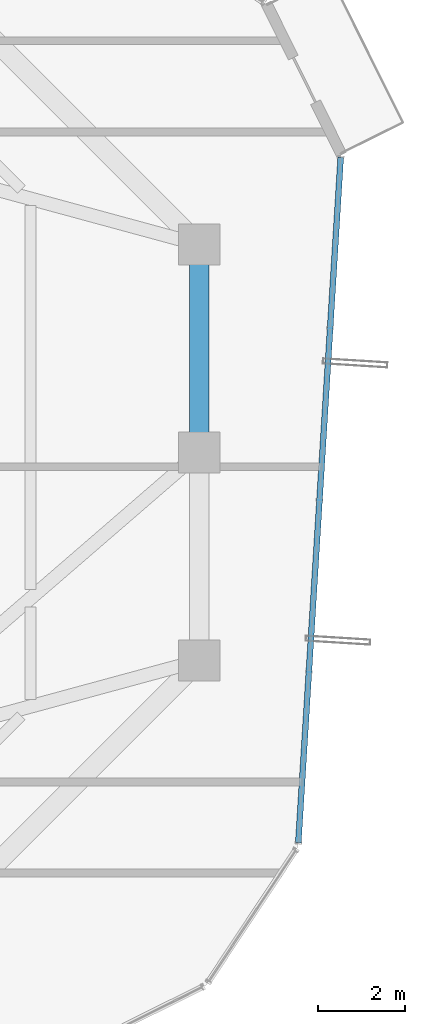
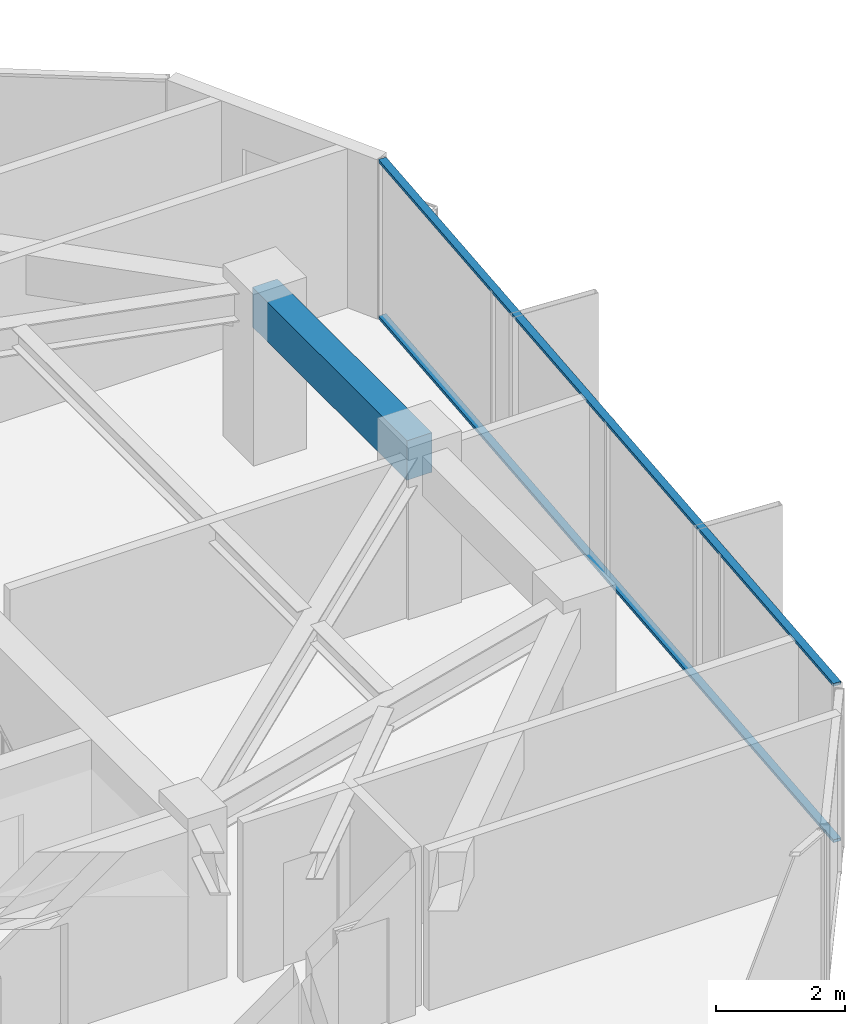
# One storey, part 16 of 29: 2 members, 1 beam, 1 element without a shape of its own.
"""IFC4 building model written with IfcOpenShell, lengths in metres."""

from ifc_helpers import new_model, si_unit, direction, frame, origin, origin_2d, place, context, subcontext, project, spatial, rectangle, hollow_rectangle, extrude, source, transform, mapped, material, layer, layer_set, material_profile, profile_set, type_object, element, aggregate, save


model = new_model("IFC4")

# Units and contexts
model_context = context("Model", 3, precision=1e-05, world=origin(), true_north=direction((0.0, 1.0)))
body_context = subcontext(model_context, "Body", "Model", "MODEL_VIEW")
ifc_project = project(units=[si_unit("LENGTHUNIT", "METRE"), si_unit("AREAUNIT", "SQUARE_METRE"), si_unit("VOLUMEUNIT", "CUBIC_METRE"), si_unit("PLANEANGLEUNIT", "RADIAN"), si_unit("MASSUNIT", "GRAM", prefix="KILO")], contexts=[model_context])

# Site, building, storey
site_placement = place(None, origin())
site = spatial("IfcSite", under=ifc_project, at=site_placement, CompositionType="ELEMENT")
building_placement = place(site_placement, origin())
building = spatial("IfcBuilding", under=site, at=building_placement, Name="Veraguas Prism Commons", CompositionType="ELEMENT")
storey_placement = place(building_placement, frame((0.0, 0.0, 218.89990234375)))
storey = spatial("IfcBuildingStorey", under=building, at=storey_placement, Name="L62", CompositionType="ELEMENT", Elevation=218.89990234375)

# Beam
ifc_material_1 = material(Name="Concrete C50/60", Category="concrete")
ifc_material_profile_1 = material_profile(ifc_material_1, rectangle(XDim=0.449951171875, YDim=0.75, at=origin_2d()), Name="RC450X750")
ifc_profile_set_1 = profile_set([ifc_material_profile_1], Name="Concrete C50/60")
beam_type = type_object("IfcBeamType", Name="Perimeter Spandrel Upper RC 450x750", PredefinedType="SPANDREL", material=ifc_profile_set_1)
beam_placement = place(storey_placement, frame((38.89990234375, 24.0, 2.64013671875), z_axis=(0.0, 1.0, 0.0), x_axis=(-1.0, 0.0, 0.0)))
element("IfcBeam", 1, at=beam_placement, inside=storey, type_object=beam_type, Name="Perimeter Spandrel Beam L62-SP02", PredefinedType="SPANDREL", context=body_context, shape_type="SweptSolid", body=[
    extrude(rectangle(XDim=0.449951171875, YDim=0.75, at=origin_2d()), origin(), (0.0, 0.0, 1.0), 4.800048828125),
])

# Curtain wall, members
ifc_material_2 = material(Name="Anodised aluminium EN AW-6063 T6", Category="aluminium")
ifc_layer = layer(ifc_material_2, 0.14990234375, Name="Unitised Flush Curtain Wall Zone 3", Category="aluminium")
ifc_layer_set = layer_set([ifc_layer], Name="Anodised aluminium EN AW-6063 T6")
curtain_wall_type = type_object("IfcCurtainWallType", Name="Unitised Flush Curtain Wall Zone 3", PredefinedType="NOTDEFINED", material=ifc_layer_set)
curtain_wall_placement = place(storey_placement, origin())
curtain_wall = element("IfcCurtainWall", 2, at=curtain_wall_placement, inside=storey, type_object=curtain_wall_type, Name="Tower Facade Curtain Wall L62-F6", PredefinedType="NOTDEFINED")
ifc_material_profile_2 = material_profile(ifc_material_2, hollow_rectangle(XDim=0.054931640625, YDim=0.135009765625, WallThickness=0.0029296875, at=origin_2d()), Name="AL55X135X3")
ifc_profile_set_2 = profile_set([ifc_material_profile_2], Name="Anodised aluminium EN AW-6063 T6")
member_type = type_object("IfcMemberType", Name="Curtain Wall Transom Standard AL 55x135x3", PredefinedType="USERDEFINED", material=ifc_profile_set_2)
shared_shape = source(origin(), body_context, "Body", "SweptSolid", [
    extrude(hollow_rectangle(XDim=0.054931640625, YDim=0.135009765625, WallThickness=0.0029296875, at=origin_2d()), origin(), (0.0, 0.0, 1.0), 15.842529296875),
])
member_1_placement = place(storey_placement, frame((41.187255859375, 15.000244140625, 0.027587890625), z_axis=(0.061749861307, 0.998091656427, 0.0), x_axis=(0.0, 0.0, 1.0)))
member_1 = element("IfcMember", 3, at=member_1_placement, type_object=member_type, Name="CW-Z3 Transom 1", ObjectType="TRANSOM", PredefinedType="USERDEFINED", context=body_context, shape_type="MappedRepresentation", body=[
    mapped(shared_shape, transform((0.0, 0.0, 0.0), scale=1.0)),
])
member_2_placement = place(storey_placement, frame((41.187255859375, 15.000244140625, 2.987548828125), z_axis=(0.061749861307, 0.998091656427, 0.0), x_axis=(0.0, 0.0, 1.0)))
member_2 = element("IfcMember", 4, at=member_2_placement, type_object=member_type, Name="CW-Z3 Transom 2", ObjectType="TRANSOM", PredefinedType="USERDEFINED", context=body_context, shape_type="MappedRepresentation", body=[
    mapped(shared_shape, transform((0.0, 0.0, 0.0), scale=1.0)),
])
aggregate(curtain_wall, [member_1, member_2])

save(model, "model.ifc")
